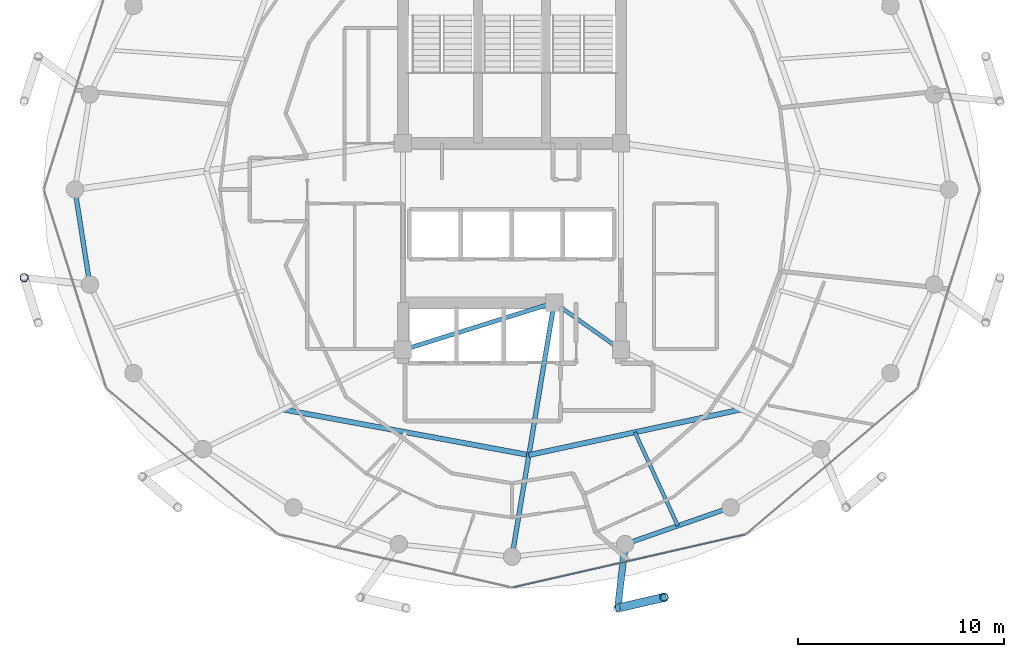
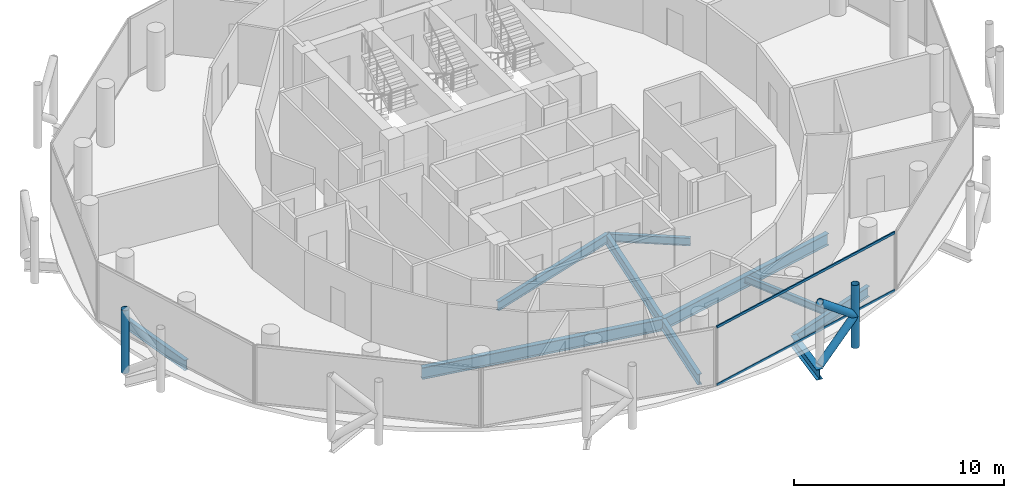
# One storey, part 6 of 27: 9 beams, 6 members, 1 element without a shape of its own.
"""IFC4 building model written with IfcOpenShell, lengths in metres."""

from ifc_helpers import new_model, si_unit, direction, frame, origin, origin_2d, place, context, subcontext, project, spatial, hollow_rectangle, hollow_circle, i_section, extrude, material, layer, layer_set, material_profile, profile_set, type_object, element, aggregate, save


model = new_model("IFC4")

# Units and contexts
model_context = context("Model", 3, precision=1e-05, world=origin(), true_north=direction((0.0, 1.0)))
body_context = subcontext(model_context, "Body", "Model", "MODEL_VIEW")
ifc_project = project(units=[si_unit("LENGTHUNIT", "METRE"), si_unit("AREAUNIT", "SQUARE_METRE"), si_unit("VOLUMEUNIT", "CUBIC_METRE"), si_unit("PLANEANGLEUNIT", "RADIAN"), si_unit("MASSUNIT", "GRAM", prefix="KILO")], contexts=[model_context])

# Site, building, storey
site_placement = place(None, origin())
site = spatial("IfcSite", under=ifc_project, at=site_placement, CompositionType="ELEMENT")
building_placement = place(site_placement, origin())
building = spatial("IfcBuilding", under=site, at=building_placement, Name="Nuhasar Tower", CompositionType="ELEMENT")
storey_placement = place(building_placement, frame((0.0, 0.0, 244.64990234375)))
storey = spatial("IfcBuildingStorey", under=building, at=storey_placement, Name="L60", CompositionType="ELEMENT", Elevation=244.64990234375)

# Beams
ifc_material_1 = material(Name="Steel S355", Category="steel")
ifc_material_profile_1 = material_profile(ifc_material_1, i_section(OverallWidth=0.25390625, OverallDepth=0.68408203125, WebThickness=0.012451171875, FlangeThickness=0.018798828125, at=origin_2d()), Name="W27X94")
ifc_profile_set_1 = profile_set([ifc_material_profile_1], Name="Steel S355")
beam_type_1 = type_object("IfcBeamType", Name="BM-INRING-W27X94", PredefinedType="BEAM", material=ifc_profile_set_1)
beam_1_placement = place(storey_placement, frame((27.864013671875, 16.10693359375, -0.581787109375), z_axis=(0.983238439987, -0.182324354193, 0.0), x_axis=(0.182324354193, 0.983238439987, 0.0)))
element("IfcBeam", 1, at=beam_1_placement, inside=storey, type_object=beam_type_1, Name="L60 Inner Header Beam 01", PredefinedType="BEAM", context=body_context, shape_type="SweptSolid", body=[
    extrude(i_section(OverallWidth=0.25390625, OverallDepth=0.68408203125, WebThickness=0.012451171875, FlangeThickness=0.018798828125, at=origin_2d()), origin(), (0.0, 0.0, 1.0), 12.159912109375),
])
beam_2_placement = place(storey_placement, frame((39.820068359375, 13.889892578125, -0.581787109375), z_axis=(0.977676275959, 0.210116870876, 0.0), x_axis=(-0.210116870876, 0.977676275959, 0.0)))
element("IfcBeam", 2, at=beam_2_placement, inside=storey, type_object=beam_type_1, Name="L60 Inner Header Beam 02", PredefinedType="BEAM", context=body_context, shape_type="SweptSolid", body=[
    extrude(i_section(OverallWidth=0.25390625, OverallDepth=0.68408203125, WebThickness=0.012451171875, FlangeThickness=0.018798828125, at=origin_2d()), origin(), (0.0, 0.0, 1.0), 10.551513671875),
])
ifc_material_profile_2 = material_profile(ifc_material_1, i_section(OverallWidth=0.177978515625, OverallDepth=0.406005859375, WebThickness=0.0078125, FlangeThickness=0.0126953125, at=origin_2d()), Name="W16X40")
ifc_profile_set_2 = profile_set([ifc_material_profile_2], Name="Steel S355")
beam_type_2 = type_object("IfcBeamType", Name="BM-JST-W16X40", PredefinedType="JOIST", material=ifc_profile_set_2)
beam_3_placement = place(storey_placement, frame((44.97802734375, 14.998046875, -0.44287109375), z_axis=(0.416562288184, -0.909107177434, 0.0), x_axis=(0.909107177434, 0.416562288184, 0.0)))
element("IfcBeam", 3, at=beam_3_placement, inside=storey, type_object=beam_type_2, Name="L60 Secondary Floor Joist 02", PredefinedType="JOIST", context=body_context, shape_type="SweptSolid", body=[
    extrude(i_section(OverallWidth=0.177978515625, OverallDepth=0.406005859375, WebThickness=0.0078125, FlangeThickness=0.0126953125, at=origin_2d()), origin(), (0.0, 0.0, 1.0), 5.0029296875),
])
ifc_material_profile_3 = material_profile(ifc_material_1, i_section(OverallWidth=0.18994140625, OverallDepth=0.45703125, WebThickness=0.009033203125, FlangeThickness=0.014404296875, at=origin_2d()), Name="W18X50")
ifc_profile_set_3 = profile_set([ifc_material_profile_3], Name="Steel S355")
beam_type_3 = type_object("IfcBeamType", Name="BM-RAD-W18X50", PredefinedType="BEAM", material=ifc_profile_set_3)
beam_4_placement = place(storey_placement, frame((41.050048828125, 21.300048828125, -0.468994140625), z_axis=(0.816265428953, -0.577677028708, 0.0), x_axis=(0.577677028708, 0.816265428953, 0.0)))
element("IfcBeam", 4, at=beam_4_placement, inside=storey, type_object=beam_type_3, Name="L60 Core Ring Girder 2", PredefinedType="BEAM", context=body_context, shape_type="SweptSolid", body=[
    extrude(i_section(OverallWidth=0.18994140625, OverallDepth=0.45703125, WebThickness=0.009033203125, FlangeThickness=0.014404296875, at=origin_2d()), origin(), (0.0, 0.0, 1.0), 3.9814453125),
])
ifc_material_profile_4 = material_profile(ifc_material_1, i_section(OverallWidth=0.208984375, OverallDepth=0.528076171875, WebThickness=0.009521484375, FlangeThickness=0.01318359375, at=origin_2d()), Name="W21X55")
ifc_profile_set_4 = profile_set([ifc_material_profile_4], Name="Steel S355")
beam_type_4 = type_object("IfcBeamType", Name="BM-RAD-W21X55", PredefinedType="BEAM", material=ifc_profile_set_4)
beam_5_placement = place(storey_placement, frame((33.699951171875, 19.0, -0.50390625), z_axis=(0.954363709454, 0.298646798205, 0.0), x_axis=(-0.298646798205, 0.954363709454, 0.0)))
element("IfcBeam", 5, at=beam_5_placement, inside=storey, type_object=beam_type_4, Name="L60 Core Ring Girder 1", PredefinedType="BEAM", context=body_context, shape_type="SweptSolid", body=[
    extrude(i_section(OverallWidth=0.208984375, OverallDepth=0.528076171875, WebThickness=0.009521484375, FlangeThickness=0.01318359375, at=origin_2d()), origin(), (0.0, 0.0, 1.0), 7.70166015625),
])
ifc_material_profile_5 = material_profile(ifc_material_1, i_section(OverallWidth=0.22900390625, OverallDepth=0.612060546875, WebThickness=0.011962890625, FlangeThickness=0.01953125, at=origin_2d()), Name="W24X84")
ifc_profile_set_5 = profile_set([ifc_material_profile_5], Name="Steel S355")
beam_type_5 = type_object("IfcBeamType", Name="BM-RAD-W24X84", PredefinedType="BEAM", material=ifc_profile_set_5)
beam_6_placement = place(storey_placement, frame((41.050048828125, 21.300048828125, -0.5458984375), z_axis=(-0.163753822517, -0.98650123447, 0.0), x_axis=(0.98650123447, -0.163753822517, 0.0)))
element("IfcBeam", 6, at=beam_6_placement, inside=storey, type_object=beam_type_5, Name="L60 Radial Floor Girder 02", PredefinedType="BEAM", context=body_context, shape_type="SweptSolid", body=[
    extrude(i_section(OverallWidth=0.22900390625, OverallDepth=0.612060546875, WebThickness=0.011962890625, FlangeThickness=0.01953125, at=origin_2d()), origin(), (0.0, 0.0, 1.0), 12.51904296875),
])
ifc_material_profile_6 = material_profile(ifc_material_1, i_section(OverallWidth=0.22802734375, OverallDepth=0.60791015625, WebThickness=0.01123046875, FlangeThickness=0.017333984375, at=origin_2d()), Name="W24X76")
ifc_profile_set_6 = profile_set([ifc_material_profile_6], Name="Steel S355")
beam_type_6 = type_object("IfcBeamType", Name="BM-RING-W24X76", PredefinedType="SPANDREL", material=ifc_profile_set_6)
beam_7_placement = place(storey_placement, frame((17.75, 26.800048828125, -0.5439453125), z_axis=(0.154841886404, -0.987939264436, 0.0), x_axis=(0.987939264436, 0.154841886404, 0.0)))
element("IfcBeam", 7, at=beam_7_placement, inside=storey, type_object=beam_type_6, Name="L60 Perimeter Ring Spandrel 13", PredefinedType="SPANDREL", context=body_context, shape_type="SweptSolid", body=[
    extrude(i_section(OverallWidth=0.22802734375, OverallDepth=0.60791015625, WebThickness=0.01123046875, FlangeThickness=0.017333984375, at=origin_2d()), origin(), (0.0, 0.0, 1.0), 4.676513671875),
])
beam_8_placement = place(storey_placement, frame((44.5, 9.55810546875, -0.5439453125), z_axis=(0.944476764686, 0.328578211342, 0.0), x_axis=(-0.328578211342, 0.944476764686, 0.0)))
element("IfcBeam", 8, at=beam_8_placement, inside=storey, type_object=beam_type_6, Name="L60 Perimeter Ring Spandrel 20", PredefinedType="SPANDREL", context=body_context, shape_type="SweptSolid", body=[
    extrude(i_section(OverallWidth=0.22802734375, OverallDepth=0.60791015625, WebThickness=0.01123046875, FlangeThickness=0.017333984375, at=origin_2d()), origin(), (0.0, 0.0, 1.0), 5.42626953125),
])
ifc_material_profile_7 = material_profile(ifc_material_1, i_section(OverallWidth=0.323974609375, OverallDepth=0.611083984375, WebThickness=0.0126953125, FlangeThickness=0.01904296875, at=origin_2d()), Name="W24X104")
ifc_profile_set_7 = profile_set([ifc_material_profile_7], Name="Steel S355")
beam_type_7 = type_object("IfcBeamType", Name="BM-TIE-W24X104", PredefinedType="BEAM", material=ifc_profile_set_7)
beam_9_placement = place(storey_placement, frame((44.5, 9.55810546875, -0.544921875), z_axis=(-0.114123371392, -0.993466585297, 0.0), x_axis=(0.993466585297, -0.114123371392, 0.0)))
element("IfcBeam", 9, at=beam_9_placement, inside=storey, type_object=beam_type_7, Name="L60 Exoskeleton Node Tie Beam 10", PredefinedType="BEAM", context=body_context, shape_type="SweptSolid", body=[
    extrude(i_section(OverallWidth=0.323974609375, OverallDepth=0.611083984375, WebThickness=0.0126953125, FlangeThickness=0.01904296875, at=origin_2d()), origin(), (0.0, 0.0, 1.0), 3.127685546875),
])

# Curtain wall, members
ifc_material_2 = material(Name="Aluminium 6063-T6", Category="aluminium")
ifc_layer = layer(ifc_material_2, 0.18994140625)
ifc_layer_set = layer_set([ifc_layer], Name="Aluminium 6063-T6")
curtain_wall_type = type_object("IfcCurtainWallType", Name="CW-Z3-RES", PredefinedType="NOTDEFINED", material=ifc_layer_set)
curtain_wall_placement = place(storey_placement, origin())
curtain_wall = element("IfcCurtainWall", 10, at=curtain_wall_placement, inside=storey, type_object=curtain_wall_type, Name="L60 Unitised Curtain Wall 10", PredefinedType="NOTDEFINED")
ifc_material_profile_8 = material_profile(ifc_material_2, hollow_rectangle(XDim=0.06494140625, YDim=0.139892578125, WallThickness=0.00439453125, at=origin_2d()), Name="CWT-4")
ifc_profile_set_8 = profile_set([ifc_material_profile_8], Name="Aluminium 6063-T6")
member_type_1 = type_object("IfcMemberType", Name="CW-TRN-S4", PredefinedType="USERDEFINED", material=ifc_profile_set_8)
member_1_placement = place(storey_placement, frame((39.0634765625, 7.454345703125, 0.03271484375), z_axis=(0.974989487479, 0.222250982686, 0.0), x_axis=(-0.222250982686, 0.974989487479, 0.0)))
member_1 = element("IfcMember", 11, at=member_1_placement, type_object=member_type_1, Name="CW-Z3 transom 1.1", ObjectType="TRANSOM", PredefinedType="USERDEFINED", context=body_context, shape_type="SweptSolid", body=[
    extrude(hollow_rectangle(XDim=0.06494140625, YDim=0.139892578125, WallThickness=0.00439453125, at=origin_2d()), origin(), (0.0, 0.0, 1.0), 11.541748046875),
])
member_2_placement = place(storey_placement, frame((39.0634765625, 7.454345703125, 3.377685546875), z_axis=(0.974989487479, 0.222250982686, 0.0), x_axis=(-0.222250982686, 0.974989487479, 0.0)))
member_2 = element("IfcMember", 12, at=member_2_placement, type_object=member_type_1, Name="CW-Z3 transom 1.2", ObjectType="TRANSOM", PredefinedType="USERDEFINED", context=body_context, shape_type="SweptSolid", body=[
    extrude(hollow_rectangle(XDim=0.06494140625, YDim=0.139892578125, WallThickness=0.00439453125, at=origin_2d()), origin(), (0.0, 0.0, 1.0), 11.541748046875),
])
aggregate(curtain_wall, [member_1, member_2])

# Members
ifc_material_3 = material(Name="Steel S460", Category="steel")
ifc_material_profile_9 = material_profile(ifc_material_3, hollow_circle(Radius=0.203125, WallThickness=0.01904296875, at=origin_2d()), Name="HSS406.4X19.1")
ifc_profile_set_9 = profile_set([ifc_material_profile_9], Name="Steel S460")
member_type_2 = type_object("IfcMemberType", Name="EXO-BRONZE-406", PredefinedType="BRACE", material=ifc_profile_set_9)
for number, where, z_axis, x_axis, name in (
    (13, (15.281982421875, 22.513916015625, 0.0), (0.0, 0.0, 1.0), (1.0, 0.0, 0.0), "L60 Exoskeleton Chord Column EC-07A"),
    (14, (46.384033203125, 6.967041015625, 0.0), (0.0, 0.0, 1.0), (1.0, 0.0, 0.0), "L60 Exoskeleton Chord Column EC-10B"),
):
    element("IfcMember", number, at=place(storey_placement, frame(where, z_axis=z_axis, x_axis=x_axis)), inside=storey, type_object=member_type_2, Name=name, PredefinedType="BRACE", context=body_context, shape_type="SweptSolid", body=[
        extrude(hollow_circle(Radius=0.203125, WallThickness=0.01904296875, at=origin_2d()), origin(), (0.0, 0.0, 1.0), 3.650146484375),
    ])
member_3_placement = place(storey_placement, frame((44.14306640625, 6.450927734375, 0.0), z_axis=(0.763292124721, 0.175792521153, 0.621676862884), x_axis=(-0.224433035437, 0.97448951385, 0.0)))
element("IfcMember", 15, at=member_3_placement, inside=storey, type_object=member_type_2, Name="L60 Bronze Diagrid Brace W1-10", PredefinedType="BRACE", context=body_context, shape_type="SweptSolid", body=[
    extrude(hollow_circle(Radius=0.203125, WallThickness=0.01904296875, at=origin_2d()), origin(), (0.0, 0.0, 1.0), 2.93603515625),
])
member_4_placement = place(storey_placement, frame((46.384033203125, 6.967041015625, 1.8251953125), z_axis=(-0.76333158458, -0.175801609086, 0.621625841021), x_axis=(0.224433035437, -0.97448951385, 0.0)))
element("IfcMember", 16, at=member_4_placement, inside=storey, type_object=member_type_2, Name="L60 Bronze Diagrid Brace W2-10", PredefinedType="BRACE", context=body_context, shape_type="SweptSolid", body=[
    extrude(hollow_circle(Radius=0.203125, WallThickness=0.01904296875, at=origin_2d()), origin(), (0.0, 0.0, 1.0), 2.935791015625),
])

save(model, "model.ifc")
